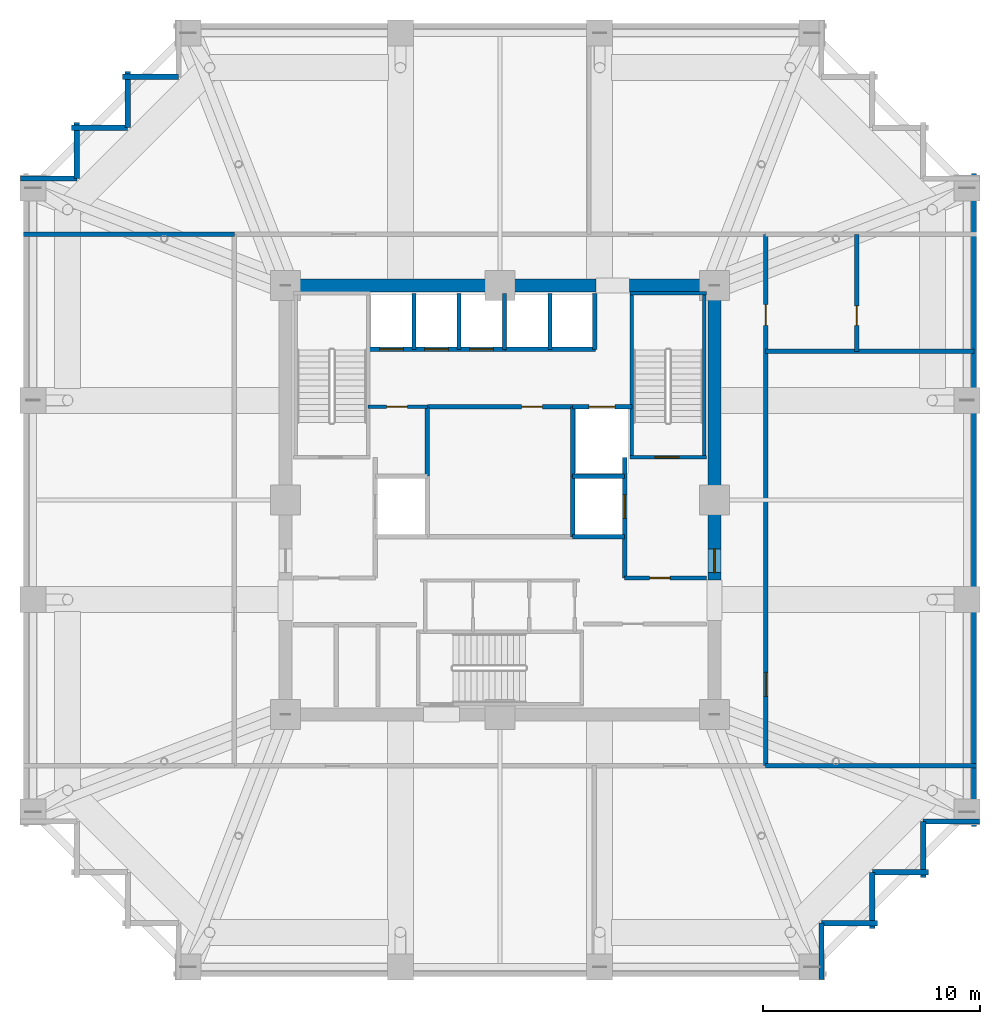
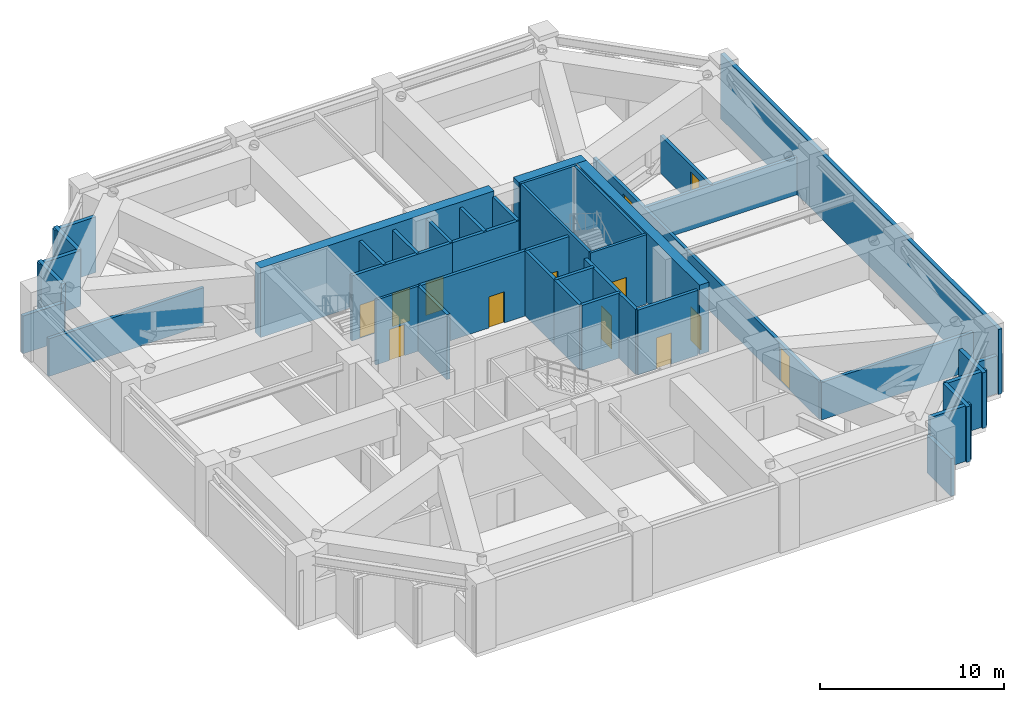
# One storey, part 13 of 15: 41 walls, 13 doors, 13 openings.
"""IFC4 building model written with IfcOpenShell, lengths in metres."""

from ifc_helpers import new_model, si_unit, direction, frame, frame_2d, origin, place, context, subcontext, project, spatial, rectangle, extrude, material, layer, layer_set, type_object, element, fill, save


model = new_model("IFC4")

# Units and contexts
model_context = context("Model", 3, precision=1e-05, world=origin(), true_north=direction((0.0, 1.0)))
body_context = subcontext(model_context, "Body", "Model", "MODEL_VIEW")
ifc_project = project(units=[si_unit("LENGTHUNIT", "METRE"), si_unit("AREAUNIT", "SQUARE_METRE"), si_unit("VOLUMEUNIT", "CUBIC_METRE"), si_unit("PLANEANGLEUNIT", "RADIAN"), si_unit("MASSUNIT", "GRAM", prefix="KILO")], contexts=[model_context])

# Site, building, storey
site_placement = place(None, origin())
site = spatial("IfcSite", under=ifc_project, at=site_placement, CompositionType="ELEMENT")
building_placement = place(site_placement, origin())
building = spatial("IfcBuilding", under=site, at=building_placement, Name="Kolvaren Belvedere", CompositionType="ELEMENT")
storey_placement = place(building_placement, frame((0.0, 0.0, 63.39990234375)))
storey = spatial("IfcBuildingStorey", under=building, at=storey_placement, Name="L18", CompositionType="ELEMENT", Elevation=63.39990234375)

# Walls
ifc_material_1 = material(Name="Concrete C60/75", Category="concrete")
ifc_layer_1 = layer(ifc_material_1, 0.60009765625)
ifc_layer_set_1 = layer_set([ifc_layer_1], Name="Concrete C60/75")
wall_type_1 = type_object("IfcWallType", Name="CW-CORE-600", PredefinedType="SHEAR", material=ifc_layer_set_1)
wall_1_placement = place(storey_placement, frame((-10.199951171875, 9.89990234375, 0.0), z_axis=(0.0, 0.0, 1.0), x_axis=(1.0, 0.0, 0.0)))
element("IfcWall", 1, at=wall_1_placement, inside=storey, type_object=wall_type_1, Name="L18 North Core Shear Wall 1", PredefinedType="SHEAR", context=body_context, shape_type="SweptSolid", body=[
    extrude(rectangle(XDim=14.619873046875, YDim=0.60009765625, at=frame_2d((7.31005859375, 0.0))), origin(), (0.0, 0.0, 1.0), 4.60009765625),
])
wall_2_placement = place(storey_placement, frame((5.97998046875, 9.89990234375, 0.0), z_axis=(0.0, 0.0, 1.0), x_axis=(1.0, 0.0, 0.0)))
element("IfcWall", 2, at=wall_2_placement, inside=storey, type_object=wall_type_1, Name="L18 North Core Shear Wall 2", PredefinedType="SHEAR", context=body_context, shape_type="SweptSolid", body=[
    extrude(rectangle(XDim=4.219970703125, YDim=0.60009765625, at=frame_2d((2.10986328125, 0.0))), origin(), (0.0, 0.0, 1.0), 4.60009765625),
])

# Wall, opening, door
wall_3_placement = place(storey_placement, frame((9.89990234375, -3.699951171875, 0.0), z_axis=(0.0, 0.0, 1.0), x_axis=(0.0, 1.0, 0.0)))
wall_3 = element("IfcWall", 3, at=wall_3_placement, inside=storey, type_object=wall_type_1, Name="L18 East Core Shear Wall 2", PredefinedType="SHEAR", context=body_context, shape_type="SweptSolid", body=[
    extrude(rectangle(XDim=13.300048828125, YDim=0.60009765625, at=frame_2d((6.64990234375, 0.0))), origin(), (0.0, 0.0, 1.0), 4.60009765625),
])
opening_1_placement = place(wall_3_placement, frame((0.35009765625, 0.0, 0.0)))
opening_1 = element("IfcOpeningElement", 4, at=opening_1_placement, cuts=wall_3, Name="Opening D-FD90", PredefinedType="OPENING", context=body_context, shape_type="SweptSolid", body=[
    extrude(rectangle(XDim=1.10009765625, YDim=2.199951171875, at=frame_2d((0.550048828125, 1.10009765625))), frame((0.0, 0.31005859375, 0.0), z_axis=(0.0, -1.0, 0.0), x_axis=(1.0, 0.0, 0.0)), (0.0, 0.0, 1.0), 0.6201171875),
])
ifc_material_2 = material(Name="Painted hollow stainless steel", Category="steel")
door_type_1 = type_object("IfcDoorType", Name="DR-FD90-1100", OperationType="NOTDEFINED", PredefinedType="DOOR", material=ifc_material_2)
door_1_placement = place(opening_1_placement, origin())
door_1 = element("IfcDoor", 5, at=door_1_placement, inside=storey, type_object=door_type_1, Name="L18 East Firefighting Lobby Fire Door", OperationType="SINGLE_SWING_RIGHT", OverallHeight=2.199951171875, OverallWidth=1.10009765625, PredefinedType="DOOR", context=body_context, shape_type="SweptSolid", body=[
    extrude(rectangle(XDim=1.10009765625, YDim=2.199951171875, at=frame_2d((0.550048828125, 1.10009765625))), frame((0.0, 0.02490234375, 0.0), z_axis=(0.0, -1.0, 0.0), x_axis=(1.0, 0.0, 0.0)), (0.0, 0.0, 1.0), 0.050048828125),
])
fill(opening_1, door_1)

ifc_material_3 = material(Name="Concrete C50/60", Category="concrete")
ifc_layer_2 = layer(ifc_material_3, 0.159912109375)
ifc_layer_set_2 = layer_set([ifc_layer_2], Name="Concrete C50/60")
wall_type_2 = type_object("IfcWallType", Name="CW-STAIR-160", PredefinedType="SHEAR", material=ifc_layer_set_2)
wall_4_placement = place(storey_placement, frame((6.0, 1.969970703125, 0.0), z_axis=(0.0, 0.0, 1.0), x_axis=(1.0, 0.0, 0.0)))
wall_4 = element("IfcWall", 6, at=wall_4_placement, inside=storey, type_object=wall_type_2, Name="L18 Stair ST-2 South Shear Wall", PredefinedType="SHEAR", context=body_context, shape_type="SweptSolid", body=[
    extrude(rectangle(XDim=3.52001953125, YDim=0.159912109375, at=frame_2d((1.760009765625, 0.0))), origin(), (0.0, 0.0, 1.0), 4.60009765625),
])
opening_2_placement = place(wall_4_placement, frame((1.14990234375, 0.0, 0.0)))
opening_2 = element("IfcOpeningElement", 7, at=opening_2_placement, cuts=wall_4, Name="Opening D-FD90", PredefinedType="OPENING", context=body_context, shape_type="SweptSolid", body=[
    extrude(rectangle(XDim=1.10009765625, YDim=2.199951171875, at=frame_2d((0.550048828125, 1.10009765625))), frame((0.0, 0.08984375, 0.0), z_axis=(0.0, -1.0, 0.0), x_axis=(1.0, 0.0, 0.0)), (0.0, 0.0, 1.0), 0.179931640625),
])
door_2_placement = place(opening_2_placement, origin())
door_2 = element("IfcDoor", 8, at=door_2_placement, inside=storey, type_object=door_type_1, Name="L18 Stair ST-2 Fire Door", OperationType="SINGLE_SWING_RIGHT", OverallHeight=2.199951171875, OverallWidth=1.10009765625, PredefinedType="DOOR", context=body_context, shape_type="SweptSolid", body=[
    extrude(rectangle(XDim=1.10009765625, YDim=2.199951171875, at=frame_2d((0.550048828125, 1.10009765625))), frame((0.0, 0.02490234375, 0.0), z_axis=(0.0, -1.0, 0.0), x_axis=(1.0, 0.0, 0.0)), (0.0, 0.0, 1.0), 0.050048828125),
])
fill(opening_2, door_2)

# Walls
wall_5_placement = place(storey_placement, frame((6.0, 9.530029296875, 0.0), z_axis=(0.0, 0.0, 1.0), x_axis=(1.0, 0.0, 0.0)))
element("IfcWall", 9, at=wall_5_placement, inside=storey, type_object=wall_type_2, Name="L18 Stair ST-2 North Shear Wall", PredefinedType="SHEAR", context=body_context, shape_type="SweptSolid", body=[
    extrude(rectangle(XDim=3.52001953125, YDim=0.159912109375, at=frame_2d((1.760009765625, 0.0))), origin(), (0.0, 0.0, 1.0), 4.60009765625),
])
for number, where, z_axis, x_axis, name in (
    (10, (6.080078125, 1.969970703125, 0.0), (0.0, 0.0, 1.0), (0.0, 1.0, 0.0), "L18 Stair ST-2 West Shear Wall"),
    (11, (9.429931640625, 1.969970703125, 0.0), (0.0, 0.0, 1.0), (0.0, 1.0, 0.0), "L18 Stair ST-2 East Shear Wall"),
):
    element("IfcWall", number, at=place(storey_placement, frame(where, z_axis=z_axis, x_axis=x_axis)), inside=storey, type_object=wall_type_2, Name=name, PredefinedType="SHEAR", context=body_context, shape_type="SweptSolid", body=[
        extrude(rectangle(XDim=7.56005859375, YDim=0.159912109375, at=frame_2d((3.780029296875, 0.0))), origin(), (0.0, 0.0, 1.0), 4.60009765625),
    ])
ifc_material_4 = material(Name="Insulated acoustic pale-metal louvre wall", Category="aluminium")
ifc_layer_3 = layer(ifc_material_4, 0.239990234375)
ifc_layer_set_3 = layer_set([ifc_layer_3], Name="Insulated acoustic pale-metal louvre wall")
wall_type_3 = type_object("IfcWallType", Name="WL-LOUV-240", PredefinedType="STANDARD", material=ifc_layer_set_3)
wall_6_placement = place(storey_placement, frame((14.830078125, -19.530029296875, 0.0), z_axis=(0.0, 0.0, 1.0), x_axis=(0.0, -1.0, 0.0)))
element("IfcWall", 12, at=wall_6_placement, inside=storey, type_object=wall_type_3, Name="L18 Acoustic Louvre Facade Wall 2", PredefinedType="STANDARD", context=body_context, shape_type="SweptSolid", body=[
    extrude(rectangle(XDim=2.590087890625, YDim=0.239990234375, at=frame_2d((1.294921875, 0.0))), origin(), (0.0, 0.0, 1.0), 2.4951171875),
])
wall_7_placement = place(storey_placement, frame((17.419921875, -19.530029296875, 0.0), z_axis=(0.0, 0.0, 1.0), x_axis=(-1.0, 0.0, 0.0)))
element("IfcWall", 13, at=wall_7_placement, inside=storey, type_object=wall_type_3, Name="L18 Acoustic Louvre Facade Wall 3", PredefinedType="STANDARD", context=body_context, shape_type="SweptSolid", body=[
    extrude(rectangle(XDim=2.58984375, YDim=0.239990234375, at=frame_2d((1.294921875, 0.0))), origin(), (0.0, 0.0, 1.0), 3.67919921875),
])
for number, where, z_axis, x_axis, name in (
    (14, (17.179931640625, -17.179931640625, 0.0), (0.0, 0.0, 1.0), (0.0, -1.0, 0.0), "L18 Acoustic Louvre Facade Wall 4"),
    (15, (19.77001953125, -17.179931640625, 0.0), (0.0, 0.0, 1.0), (-1.0, 0.0, 0.0), "L18 Acoustic Louvre Facade Wall 5"),
):
    element("IfcWall", number, at=place(storey_placement, frame(where, z_axis=z_axis, x_axis=x_axis)), inside=storey, type_object=wall_type_3, Name=name, PredefinedType="STANDARD", context=body_context, shape_type="SweptSolid", body=[
        extrude(rectangle(XDim=2.590087890625, YDim=0.239990234375, at=frame_2d((1.294921875, 0.0))), origin(), (0.0, 0.0, 1.0), 3.67919921875),
    ])
wall_8_placement = place(storey_placement, frame((19.530029296875, -14.830078125, 0.0), z_axis=(0.0, 0.0, 1.0), x_axis=(0.0, -1.0, 0.0)))
element("IfcWall", 16, at=wall_8_placement, inside=storey, type_object=wall_type_3, Name="L18 Acoustic Louvre Facade Wall 6", PredefinedType="STANDARD", context=body_context, shape_type="SweptSolid", body=[
    extrude(rectangle(XDim=2.58984375, YDim=0.239990234375, at=frame_2d((1.294921875, 0.0))), origin(), (0.0, 0.0, 1.0), 3.67919921875),
])
wall_9_placement = place(storey_placement, frame((22.1201171875, -14.830078125, 0.0), z_axis=(0.0, 0.0, 1.0), x_axis=(-1.0, 0.0, 0.0)))
element("IfcWall", 17, at=wall_9_placement, inside=storey, type_object=wall_type_3, Name="L18 Acoustic Louvre Facade Wall 7", PredefinedType="STANDARD", context=body_context, shape_type="SweptSolid", body=[
    extrude(rectangle(XDim=2.590087890625, YDim=0.239990234375, at=frame_2d((1.294921875, 0.0))), origin(), (0.0, 0.0, 1.0), 2.4951171875),
])
wall_10_placement = place(storey_placement, frame((21.8798828125, 15.070068359375, 0.0), z_axis=(0.0, 0.0, 1.0), x_axis=(0.0, -1.0, 0.0)))
element("IfcWall", 18, at=wall_10_placement, inside=storey, type_object=wall_type_3, Name="L18 Acoustic Louvre Facade Wall 8", PredefinedType="STANDARD", context=body_context, shape_type="SweptSolid", body=[
    extrude(rectangle(XDim=30.14013671875, YDim=0.239990234375, at=frame_2d((15.070068359375, 0.0))), origin(), (0.0, 0.0, 1.0), 4.300048828125),
])
wall_11_placement = place(storey_placement, frame((-17.419921875, 19.530029296875, 0.0), z_axis=(0.0, 0.0, 1.0), x_axis=(1.0, 0.0, 0.0)))
element("IfcWall", 19, at=wall_11_placement, inside=storey, type_object=wall_type_3, Name="L18 Acoustic Louvre Facade Wall 17", PredefinedType="STANDARD", context=body_context, shape_type="SweptSolid", body=[
    extrude(rectangle(XDim=2.58984375, YDim=0.239990234375, at=frame_2d((1.294921875, 0.0))), origin(), (0.0, 0.0, 1.0), 3.67919921875),
])
for number, where, z_axis, x_axis, name in (
    (20, (-17.179931640625, 17.179931640625, 0.0), (0.0, 0.0, 1.0), (0.0, 1.0, 0.0), "L18 Acoustic Louvre Facade Wall 18"),
    (21, (-19.77001953125, 17.179931640625, 0.0), (0.0, 0.0, 1.0), (1.0, 0.0, 0.0), "L18 Acoustic Louvre Facade Wall 19"),
):
    element("IfcWall", number, at=place(storey_placement, frame(where, z_axis=z_axis, x_axis=x_axis)), inside=storey, type_object=wall_type_3, Name=name, PredefinedType="STANDARD", context=body_context, shape_type="SweptSolid", body=[
        extrude(rectangle(XDim=2.590087890625, YDim=0.239990234375, at=frame_2d((1.294921875, 0.0))), origin(), (0.0, 0.0, 1.0), 3.67919921875),
    ])
wall_12_placement = place(storey_placement, frame((-19.530029296875, 14.830078125, 0.0), z_axis=(0.0, 0.0, 1.0), x_axis=(0.0, 1.0, 0.0)))
element("IfcWall", 22, at=wall_12_placement, inside=storey, type_object=wall_type_3, Name="L18 Acoustic Louvre Facade Wall 20", PredefinedType="STANDARD", context=body_context, shape_type="SweptSolid", body=[
    extrude(rectangle(XDim=2.58984375, YDim=0.239990234375, at=frame_2d((1.294921875, 0.0))), origin(), (0.0, 0.0, 1.0), 3.67919921875),
])
wall_13_placement = place(storey_placement, frame((-22.1201171875, 14.830078125, 0.0), z_axis=(0.0, 0.0, 1.0), x_axis=(1.0, 0.0, 0.0)))
element("IfcWall", 23, at=wall_13_placement, inside=storey, type_object=wall_type_3, Name="L18 Acoustic Louvre Facade Wall 21", PredefinedType="STANDARD", context=body_context, shape_type="SweptSolid", body=[
    extrude(rectangle(XDim=2.590087890625, YDim=0.239990234375, at=frame_2d((1.294921875, 0.0))), origin(), (0.0, 0.0, 1.0), 2.4951171875),
])

# Wall, opening, door
ifc_material_5 = material(Name="Gypsum acoustic partition assembly", Category="gypsum")
ifc_layer_4 = layer(ifc_material_5, 0.14990234375)
ifc_layer_set_4 = layer_set([ifc_layer_4], Name="Gypsum acoustic partition assembly")
wall_type_4 = type_object("IfcWallType", Name="WL-PART-150", PredefinedType="PARTITIONING", material=ifc_layer_set_4)
wall_14_placement = place(storey_placement, frame((-6.080078125, 4.300048828125, 0.0), z_axis=(0.0, 0.0, 1.0), x_axis=(1.0, 0.0, 0.0)))
wall_14 = element("IfcWall", 24, at=wall_14_placement, inside=storey, type_object=wall_type_4, Name="L18 NW Service Room North Wall", PredefinedType="PARTITIONING", context=body_context, shape_type="SweptSolid", body=[
    extrude(rectangle(XDim=2.72998046875, YDim=0.14990234375, at=frame_2d((1.364990234375, 0.0))), origin(), (0.0, 0.0, 1.0), 4.300048828125),
])
opening_3_placement = place(wall_14_placement, frame((0.85009765625, 0.0, 0.0)))
opening_3 = element("IfcOpeningElement", 25, at=opening_3_placement, cuts=wall_14, Name="Opening D-FD60", PredefinedType="OPENING", context=body_context, shape_type="SweptSolid", body=[
    extrude(rectangle(XDim=0.949951171875, YDim=2.06005859375, at=frame_2d((0.47509765625, 1.030029296875))), frame((0.0, 0.0849609375, 0.0), z_axis=(0.0, -1.0, 0.0), x_axis=(1.0, 0.0, 0.0)), (0.0, 0.0, 1.0), 0.169921875),
])
ifc_material_6 = material(Name="Acoustic white-oak fire door leaf", Category="timber")
door_type_2 = type_object("IfcDoorType", Name="DR-FD60-950", OperationType="NOTDEFINED", PredefinedType="DOOR", material=ifc_material_6)
door_3_placement = place(opening_3_placement, origin())
door_3 = element("IfcDoor", 26, at=door_3_placement, inside=storey, type_object=door_type_2, Name="L18 NW Core Store Door", OperationType="SINGLE_SWING_RIGHT", OverallHeight=2.06005859375, OverallWidth=0.949951171875, PredefinedType="DOOR", context=body_context, shape_type="SweptSolid", body=[
    extrude(rectangle(XDim=0.949951171875, YDim=2.06005859375, at=frame_2d((0.47509765625, 1.030029296875))), frame((0.0, 0.02490234375, 0.0), z_axis=(0.0, -1.0, 0.0), x_axis=(1.0, 0.0, 0.0)), (0.0, 0.0, 1.0), 0.050048828125),
])
fill(opening_3, door_3)

ifc_material_7 = material(Name="Concrete C50/60", Category="concrete")
ifc_layer_5 = layer(ifc_material_7, 0.199951171875)
ifc_layer_set_5 = layer_set([ifc_layer_5], Name="Concrete C50/60")
wall_type_5 = type_object("IfcWallType", Name="WL-SHAFT-200", PredefinedType="SOLIDWALL", material=ifc_layer_set_5)
wall_15_placement = place(storey_placement, frame((5.75, -3.60009765625, 0.0), z_axis=(0.0, 0.0, 1.0), x_axis=(1.0, 0.0, 0.0)))
wall_15 = element("IfcWall", 27, at=wall_15_placement, inside=storey, type_object=wall_type_5, Name="L18 East FSAE Lobby South Wall", PredefinedType="SOLIDWALL", context=body_context, shape_type="SweptSolid", body=[
    extrude(rectangle(XDim=3.77001953125, YDim=0.199951171875, at=frame_2d((1.885009765625, 0.0))), origin(), (0.0, 0.0, 1.0), 4.300048828125),
])
opening_4_placement = place(wall_15_placement, frame((1.14990234375, 0.0, 0.0)))
opening_4 = element("IfcOpeningElement", 28, at=opening_4_placement, cuts=wall_15, Name="Opening D-FD60", PredefinedType="OPENING", context=body_context, shape_type="SweptSolid", body=[
    extrude(rectangle(XDim=0.949951171875, YDim=2.06005859375, at=frame_2d((0.47509765625, 1.030029296875))), frame((0.0, 0.10986328125, 0.0), z_axis=(0.0, -1.0, 0.0), x_axis=(1.0, 0.0, 0.0)), (0.0, 0.0, 1.0), 0.219970703125),
])
door_4_placement = place(opening_4_placement, origin())
door_4 = element("IfcDoor", 29, at=door_4_placement, inside=storey, type_object=door_type_2, Name="L18 SE Lift Lobby Fire Door", OperationType="SINGLE_SWING_RIGHT", OverallHeight=2.06005859375, OverallWidth=0.949951171875, PredefinedType="DOOR", context=body_context, shape_type="SweptSolid", body=[
    extrude(rectangle(XDim=0.949951171875, YDim=2.06005859375, at=frame_2d((0.47509765625, 1.030029296875))), frame((0.0, 0.02490234375, 0.0), z_axis=(0.0, -1.0, 0.0), x_axis=(1.0, 0.0, 0.0)), (0.0, 0.0, 1.0), 0.050048828125),
])
fill(opening_4, door_4)

wall_16_placement = place(storey_placement, frame((5.75, -3.60009765625, 0.0), z_axis=(0.0, 0.0, 1.0), x_axis=(0.0, 1.0, 0.0)))
wall_16 = element("IfcWall", 30, at=wall_16_placement, inside=storey, type_object=wall_type_5, Name="L18 FSAE FS2 Landing Wall", PredefinedType="SOLIDWALL", context=body_context, shape_type="SweptSolid", body=[
    extrude(rectangle(XDim=5.570068359375, YDim=0.199951171875, at=frame_2d((2.78515625, 0.0))), origin(), (0.0, 0.0, 1.0), 4.300048828125),
])
opening_5_placement = place(wall_16_placement, frame((2.75, 0.0, 0.0)))
opening_5 = element("IfcOpeningElement", 31, at=opening_5_placement, cuts=wall_16, Name="Opening LD-11", PredefinedType="OPENING", context=body_context, shape_type="SweptSolid", body=[
    extrude(rectangle(XDim=1.10009765625, YDim=2.199951171875, at=frame_2d((0.550048828125, 1.10009765625))), frame((0.0, 0.10986328125, 0.0), z_axis=(0.0, -1.0, 0.0), x_axis=(1.0, 0.0, 0.0)), (0.0, 0.0, 1.0), 0.219970703125),
])
ifc_material_8 = material(Name="Brushed stainless steel", Category="steel")
door_type_3 = type_object("IfcDoorType", Name="DR-LIFT-1100", OperationType="DOUBLE_DOOR_SLIDING", PredefinedType="DOOR", material=ifc_material_8)
door_5_placement = place(opening_5_placement, origin())
door_5 = element("IfcDoor", 32, at=door_5_placement, inside=storey, type_object=door_type_3, Name="L18 Firefighting Lift FS2 Landing Door", OperationType="DOUBLE_DOOR_SLIDING", OverallHeight=2.199951171875, OverallWidth=1.10009765625, PredefinedType="DOOR", context=body_context, shape_type="SweptSolid", body=[
    extrude(rectangle(XDim=1.10009765625, YDim=2.199951171875, at=frame_2d((0.550048828125, 1.10009765625))), frame((0.0, 0.02490234375, 0.0), z_axis=(0.0, -1.0, 0.0), x_axis=(1.0, 0.0, 0.0)), (0.0, 0.0, 1.0), 0.050048828125),
])
fill(opening_5, door_5)

# Walls
wall_17_placement = place(storey_placement, frame((3.35009765625, -1.699951171875, 0.0), z_axis=(0.0, 0.0, 1.0), x_axis=(0.0, 1.0, 0.0)))
element("IfcWall", 33, at=wall_17_placement, inside=storey, type_object=wall_type_5, Name="L18 FSAE FS2 Back Wall", PredefinedType="SOLIDWALL", context=body_context, shape_type="SweptSolid", body=[
    extrude(rectangle(XDim=2.800048828125, YDim=0.199951171875, at=frame_2d((1.39990234375, 0.0))), origin(), (0.0, 0.0, 1.0), 4.300048828125),
])
for number, where, z_axis, x_axis, name in (
    (34, (3.35009765625, -1.699951171875, 0.0), (0.0, 0.0, 1.0), (1.0, 0.0, 0.0), "L18 FSAE FS2 South Wall"),
    (35, (3.35009765625, 1.10009765625, 0.0), (0.0, 0.0, 1.0), (1.0, 0.0, 0.0), "L18 FSAE FS2 North Wall"),
):
    element("IfcWall", number, at=place(storey_placement, frame(where, z_axis=z_axis, x_axis=x_axis)), inside=storey, type_object=wall_type_5, Name=name, PredefinedType="SOLIDWALL", context=body_context, shape_type="SweptSolid", body=[
        extrude(rectangle(XDim=2.39990234375, YDim=0.199951171875, at=frame_2d((1.199951171875, 0.0))), origin(), (0.0, 0.0, 1.0), 4.300048828125),
    ])

# Wall, opening, door
wall_18_placement = place(storey_placement, frame((3.35009765625, 4.300048828125, 0.0), z_axis=(0.0, 0.0, 1.0), x_axis=(1.0, 0.0, 0.0)))
wall_18 = element("IfcWall", 36, at=wall_18_placement, inside=storey, type_object=wall_type_5, Name="L18 Service Lift SV1 Front Wall", PredefinedType="SOLIDWALL", context=body_context, shape_type="SweptSolid", body=[
    extrude(rectangle(XDim=2.72998046875, YDim=0.199951171875, at=frame_2d((1.364990234375, 0.0))), origin(), (0.0, 0.0, 1.0), 4.300048828125),
])
opening_6_placement = place(wall_18_placement, frame((0.75, 0.0, 0.0)))
opening_6 = element("IfcOpeningElement", 37, at=opening_6_placement, cuts=wall_18, Name="Opening LD-12", PredefinedType="OPENING", context=body_context, shape_type="SweptSolid", body=[
    extrude(rectangle(XDim=1.199951171875, YDim=2.25, at=frame_2d((0.60009765625, 1.125))), frame((0.0, 0.10986328125, 0.0), z_axis=(0.0, -1.0, 0.0), x_axis=(1.0, 0.0, 0.0)), (0.0, 0.0, 1.0), 0.219970703125),
])
ifc_material_9 = material(Name="Brushed stainless steel", Category="steel")
door_type_4 = type_object("IfcDoorType", Name="DR-LIFT-1200", OperationType="DOUBLE_DOOR_SLIDING", PredefinedType="DOOR", material=ifc_material_9)
door_6_placement = place(opening_6_placement, origin())
door_6 = element("IfcDoor", 38, at=door_6_placement, inside=storey, type_object=door_type_4, Name="L18 Service Lift SV1 Landing Door", OperationType="DOUBLE_DOOR_SLIDING", OverallHeight=2.25, OverallWidth=1.199951171875, PredefinedType="DOOR", context=body_context, shape_type="SweptSolid", body=[
    extrude(rectangle(XDim=1.199951171875, YDim=2.25, at=frame_2d((0.60009765625, 1.125))), frame((0.0, 0.02490234375, 0.0), z_axis=(0.0, -1.0, 0.0), x_axis=(1.0, 0.0, 0.0)), (0.0, 0.0, 1.0), 0.050048828125),
])
fill(opening_6, door_6)

# Wall, openings, doors
wall_19_placement = place(storey_placement, frame((-6.080078125, 6.949951171875, 0.0), z_axis=(0.0, 0.0, 1.0), x_axis=(1.0, 0.0, 0.0)))
wall_19 = element("IfcWall", 39, at=wall_19_placement, inside=storey, type_object=wall_type_5, Name="L18 Low-Rise Lift Bank Front Wall", PredefinedType="SOLIDWALL", context=body_context, shape_type="SweptSolid", body=[
    extrude(rectangle(XDim=6.300048828125, YDim=0.199951171875, at=frame_2d((3.14990234375, 0.0))), origin(), (0.0, 0.0, 1.0), 4.300048828125),
])
opening_7_placement = place(wall_19_placement, frame((0.52001953125, 0.0, 0.0)))
opening_7 = element("IfcOpeningElement", 40, at=opening_7_placement, cuts=wall_19, Name="Opening LD-11", PredefinedType="OPENING", context=body_context, shape_type="SweptSolid", body=[
    extrude(rectangle(XDim=1.10009765625, YDim=2.199951171875, at=frame_2d((0.550048828125, 1.10009765625))), frame((0.0, 0.10986328125, 0.0), z_axis=(0.0, -1.0, 0.0), x_axis=(1.0, 0.0, 0.0)), (0.0, 0.0, 1.0), 0.219970703125),
])
opening_8_placement = place(wall_19_placement, frame((2.60009765625, 0.0, 0.0)))
opening_8 = element("IfcOpeningElement", 41, at=opening_8_placement, cuts=wall_19, Name="Opening LD-11", PredefinedType="OPENING", context=body_context, shape_type="SweptSolid", body=[
    extrude(rectangle(XDim=1.10009765625, YDim=2.199951171875, at=frame_2d((0.550048828125, 1.10009765625))), frame((0.0, 0.10986328125, 0.0), z_axis=(0.0, -1.0, 0.0), x_axis=(1.0, 0.0, 0.0)), (0.0, 0.0, 1.0), 0.219970703125),
])
opening_9_placement = place(wall_19_placement, frame((4.679931640625, 0.0, 0.0)))
opening_9 = element("IfcOpeningElement", 42, at=opening_9_placement, cuts=wall_19, Name="Opening LD-11", PredefinedType="OPENING", context=body_context, shape_type="SweptSolid", body=[
    extrude(rectangle(XDim=1.10009765625, YDim=2.199951171875, at=frame_2d((0.550048828125, 1.10009765625))), frame((0.0, 0.10986328125, 0.0), z_axis=(0.0, -1.0, 0.0), x_axis=(1.0, 0.0, 0.0)), (0.0, 0.0, 1.0), 0.219970703125),
])
door_7_placement = place(opening_7_placement, origin())
door_7 = element("IfcDoor", 43, at=door_7_placement, inside=storey, type_object=door_type_3, Name="L18 Passenger Lift P1 Landing Door", OperationType="DOUBLE_DOOR_SLIDING", OverallHeight=2.199951171875, OverallWidth=1.10009765625, PredefinedType="DOOR", context=body_context, shape_type="SweptSolid", body=[
    extrude(rectangle(XDim=1.10009765625, YDim=2.199951171875, at=frame_2d((0.550048828125, 1.10009765625))), frame((0.0, 0.02490234375, 0.0), z_axis=(0.0, -1.0, 0.0), x_axis=(1.0, 0.0, 0.0)), (0.0, 0.0, 1.0), 0.050048828125),
])
fill(opening_7, door_7)
door_8_placement = place(opening_8_placement, origin())
door_8 = element("IfcDoor", 44, at=door_8_placement, inside=storey, type_object=door_type_3, Name="L18 Passenger Lift P2 Landing Door", OperationType="DOUBLE_DOOR_SLIDING", OverallHeight=2.199951171875, OverallWidth=1.10009765625, PredefinedType="DOOR", context=body_context, shape_type="SweptSolid", body=[
    extrude(rectangle(XDim=1.10009765625, YDim=2.199951171875, at=frame_2d((0.550048828125, 1.10009765625))), frame((0.0, 0.02490234375, 0.0), z_axis=(0.0, -1.0, 0.0), x_axis=(1.0, 0.0, 0.0)), (0.0, 0.0, 1.0), 0.050048828125),
])
fill(opening_8, door_8)
door_9_placement = place(opening_9_placement, origin())
door_9 = element("IfcDoor", 45, at=door_9_placement, inside=storey, type_object=door_type_3, Name="L18 Passenger Lift P3 Landing Door", OperationType="DOUBLE_DOOR_SLIDING", OverallHeight=2.199951171875, OverallWidth=1.10009765625, PredefinedType="DOOR", context=body_context, shape_type="SweptSolid", body=[
    extrude(rectangle(XDim=1.10009765625, YDim=2.199951171875, at=frame_2d((0.550048828125, 1.10009765625))), frame((0.0, 0.02490234375, 0.0), z_axis=(0.0, -1.0, 0.0), x_axis=(1.0, 0.0, 0.0)), (0.0, 0.0, 1.0), 0.050048828125),
])
fill(opening_9, door_9)

# Walls
for number, where, z_axis, x_axis, name in (
    (46, (-3.969970703125, 6.949951171875, 0.0), (0.0, 0.0, 1.0), (0.0, 1.0, 0.0), "L18 Low-Rise Hoistway Divider 1"),
    (47, (-1.889892578125, 6.949951171875, 0.0), (0.0, 0.0, 1.0), (0.0, 1.0, 0.0), "L18 Low-Rise Hoistway Divider 2"),
    (48, (0.2099609375, 6.949951171875, 0.0), (0.0, 0.0, 1.0), (0.0, 1.0, 0.0), "L18 Low-Rise Hoistway Divider 3"),
):
    element("IfcWall", number, at=place(storey_placement, frame(where, z_axis=z_axis, x_axis=x_axis)), inside=storey, type_object=wall_type_5, Name=name, PredefinedType="SOLIDWALL", context=body_context, shape_type="SweptSolid", body=[
        extrude(rectangle(XDim=2.570068359375, YDim=0.199951171875, at=frame_2d((1.28515625, 0.0))), origin(), (0.0, 0.0, 1.0), 4.300048828125),
    ])
wall_20_placement = place(storey_placement, frame((0.219970703125, 6.949951171875, 0.0), z_axis=(0.0, 0.0, 1.0), x_axis=(1.0, 0.0, 0.0)))
element("IfcWall", 49, at=wall_20_placement, inside=storey, type_object=wall_type_5, Name="L18 Express Shuttle Hoistway Wall", PredefinedType="SOLIDWALL", context=body_context, shape_type="SweptSolid", body=[
    extrude(rectangle(XDim=4.179931640625, YDim=0.199951171875, at=frame_2d((2.08984375, 0.0))), origin(), (0.0, 0.0, 1.0), 4.300048828125),
])
for number, where, z_axis, x_axis, name in (
    (50, (4.3798828125, 6.949951171875, 0.0), (0.0, 0.0, 1.0), (0.0, 1.0, 0.0), "L18 Express Shuttle East Wall"),
    (51, (2.31005859375, 6.949951171875, 0.0), (0.0, 0.0, 1.0), (0.0, 1.0, 0.0), "L18 Express Shuttle Divider"),
):
    element("IfcWall", number, at=place(storey_placement, frame(where, z_axis=z_axis, x_axis=x_axis)), inside=storey, type_object=wall_type_5, Name=name, PredefinedType="SOLIDWALL", context=body_context, shape_type="SweptSolid", body=[
        extrude(rectangle(XDim=2.570068359375, YDim=0.199951171875, at=frame_2d((1.28515625, 0.0))), origin(), (0.0, 0.0, 1.0), 4.300048828125),
    ])

# Wall, opening, door
wall_21_placement = place(storey_placement, frame((-3.35009765625, 4.300048828125, 0.0), z_axis=(0.0, 0.0, 1.0), x_axis=(1.0, 0.0, 0.0)))
wall_21 = element("IfcWall", 52, at=wall_21_placement, inside=storey, type_object=wall_type_5, Name="L18 Central Core Room North Wall", PredefinedType="SOLIDWALL", context=body_context, shape_type="SweptSolid", body=[
    extrude(rectangle(XDim=6.7001953125, YDim=0.199951171875, at=frame_2d((3.35009765625, 0.0))), origin(), (0.0, 0.0, 1.0), 4.300048828125),
])
opening_10_placement = place(wall_21_placement, frame((4.35009765625, 0.0, 0.0)))
opening_10 = element("IfcOpeningElement", 53, at=opening_10_placement, cuts=wall_21, Name="Opening D-FD60", PredefinedType="OPENING", context=body_context, shape_type="SweptSolid", body=[
    extrude(rectangle(XDim=0.949951171875, YDim=2.06005859375, at=frame_2d((0.47509765625, 1.030029296875))), frame((0.0, 0.10986328125, 0.0), z_axis=(0.0, -1.0, 0.0), x_axis=(1.0, 0.0, 0.0)), (0.0, 0.0, 1.0), 0.219970703125),
])
door_10_placement = place(opening_10_placement, origin())
door_10 = element("IfcDoor", 54, at=door_10_placement, inside=storey, type_object=door_type_2, Name="L18 Central Core Controls Door", OperationType="SINGLE_SWING_LEFT", OverallHeight=2.06005859375, OverallWidth=0.949951171875, PredefinedType="DOOR", context=body_context, shape_type="SweptSolid", body=[
    extrude(rectangle(XDim=0.949951171875, YDim=2.06005859375, at=frame_2d((0.47509765625, 1.030029296875))), frame((0.0, 0.02490234375, 0.0), z_axis=(0.0, -1.0, 0.0), x_axis=(1.0, 0.0, 0.0)), (0.0, 0.0, 1.0), 0.050048828125),
])
fill(opening_10, door_10)

# Walls
for number, where, z_axis, x_axis, name in (
    (55, (-3.35009765625, 1.10009765625, 0.0), (0.0, 0.0, 1.0), (0.0, 1.0, 0.0), "L18 Central Core Room West Wall"),
    (56, (3.35009765625, 1.10009765625, 0.0), (0.0, 0.0, 1.0), (0.0, 1.0, 0.0), "L18 Central Core Room East Wall"),
):
    element("IfcWall", number, at=place(storey_placement, frame(where, z_axis=z_axis, x_axis=x_axis)), inside=storey, type_object=wall_type_5, Name=name, PredefinedType="SOLIDWALL", context=body_context, shape_type="SweptSolid", body=[
        extrude(rectangle(XDim=3.199951171875, YDim=0.199951171875, at=frame_2d((1.60009765625, 0.0))), origin(), (0.0, 0.0, 1.0), 4.300048828125),
    ])

# Wall, openings, doors
wall_22_placement = place(storey_placement, frame((12.260009765625, -12.260009765625, 0.0), z_axis=(0.0, 0.0, 1.0), x_axis=(0.0, 1.0, 0.0)))
wall_22 = element("IfcWall", 57, at=wall_22_placement, inside=storey, type_object=wall_type_5, Name="L18 East Corridor Wall", PredefinedType="SOLIDWALL", context=body_context, shape_type="SweptSolid", body=[
    extrude(rectangle(XDim=24.52001953125, YDim=0.199951171875, at=frame_2d((12.260009765625, 0.0))), origin(), (0.0, 0.0, 1.0), 2.485107421875),
])
opening_11_placement = place(wall_22_placement, frame((3.199951171875, 0.0, 0.0)))
opening_11 = element("IfcOpeningElement", 58, at=opening_11_placement, cuts=wall_22, Name="Opening D-FD90", PredefinedType="OPENING", context=body_context, shape_type="SweptSolid", body=[
    extrude(rectangle(XDim=1.10009765625, YDim=2.199951171875, at=frame_2d((0.550048828125, 1.10009765625))), frame((0.0, 0.10986328125, 0.0), z_axis=(0.0, -1.0, 0.0), x_axis=(1.0, 0.0, 0.0)), (0.0, 0.0, 1.0), 0.219970703125),
])
opening_12_placement = place(wall_22_placement, frame((20.320068359375, 0.0, 0.0)))
opening_12 = element("IfcOpeningElement", 59, at=opening_12_placement, cuts=wall_22, Name="Opening D-INT95", PredefinedType="OPENING", context=body_context, shape_type="SweptSolid", body=[
    extrude(rectangle(XDim=0.949951171875, YDim=2.06005859375, at=frame_2d((0.47509765625, 1.030029296875))), frame((0.0, 0.10986328125, 0.0), z_axis=(0.0, -1.0, 0.0), x_axis=(1.0, 0.0, 0.0)), (0.0, 0.0, 1.0), 0.219970703125),
])
door_11_placement = place(opening_11_placement, origin())
door_11 = element("IfcDoor", 60, at=door_11_placement, inside=storey, type_object=door_type_1, Name="L18 High-Zone Substation Mechanical Plant Door", OperationType="SINGLE_SWING_RIGHT", OverallHeight=2.199951171875, OverallWidth=1.10009765625, PredefinedType="DOOR", context=body_context, shape_type="SweptSolid", body=[
    extrude(rectangle(XDim=1.10009765625, YDim=2.199951171875, at=frame_2d((0.550048828125, 1.10009765625))), frame((0.0, 0.02490234375, 0.0), z_axis=(0.0, -1.0, 0.0), x_axis=(1.0, 0.0, 0.0)), (0.0, 0.0, 1.0), 0.050048828125),
])
fill(opening_11, door_11)
ifc_material_10 = material(Name="Stained Pacific white oak", Category="timber")
door_type_5 = type_object("IfcDoorType", Name="DR-INT-950", OperationType="NOTDEFINED", PredefinedType="DOOR", material=ifc_material_10)
door_12_placement = place(opening_12_placement, origin())
door_12 = element("IfcDoor", 61, at=door_12_placement, inside=storey, type_object=door_type_5, Name="L18 Staff Accessible Washroom Door", OperationType="SINGLE_SWING_LEFT", OverallHeight=2.06005859375, OverallWidth=0.949951171875, PredefinedType="DOOR", context=body_context, shape_type="SweptSolid", body=[
    extrude(rectangle(XDim=0.949951171875, YDim=2.06005859375, at=frame_2d((0.47509765625, 1.030029296875))), frame((0.0, 0.02490234375, 0.0), z_axis=(0.0, -1.0, 0.0), x_axis=(1.0, 0.0, 0.0)), (0.0, 0.0, 1.0), 0.050048828125),
])
fill(opening_12, door_12)

# Walls
for number, where, z_axis, x_axis, name in (
    (62, (12.260009765625, -12.260009765625, 0.0), (0.0, 0.0, 1.0), (1.0, 0.0, 0.0), "L18 Sector Wall PW-L18-QSE"),
    (63, (-21.97998046875, 12.260009765625, 0.0), (0.0, 0.0, 1.0), (1.0, 0.0, 0.0), "L18 Sector Wall PW-L18-QNW"),
):
    element("IfcWall", number, at=place(storey_placement, frame(where, z_axis=z_axis, x_axis=x_axis)), inside=storey, type_object=wall_type_5, Name=name, PredefinedType="SOLIDWALL", context=body_context, shape_type="SweptSolid", body=[
        extrude(rectangle(XDim=9.719970703125, YDim=0.199951171875, at=frame_2d((4.85986328125, 0.0))), origin(), (0.0, 0.0, 1.0), 2.485107421875),
    ])
wall_23_placement = place(storey_placement, frame((12.260009765625, 6.860107421875, 0.0), z_axis=(0.0, 0.0, 1.0), x_axis=(1.0, 0.0, 0.0)))
element("IfcWall", 64, at=wall_23_placement, inside=storey, type_object=wall_type_5, Name="L18 East Plant WC Wall", PredefinedType="SOLIDWALL", context=body_context, shape_type="SweptSolid", body=[
    extrude(rectangle(XDim=9.619873046875, YDim=0.199951171875, at=frame_2d((4.81005859375, 0.0))), origin(), (0.0, 0.0, 1.0), 2.485107421875),
])

# Wall, opening, door
wall_24_placement = place(storey_placement, frame((16.4599609375, 6.860107421875, 0.0), z_axis=(0.0, 0.0, 1.0), x_axis=(0.0, 1.0, 0.0)))
wall_24 = element("IfcWall", 65, at=wall_24_placement, inside=storey, type_object=wall_type_5, Name="L18 Staff WC Back Wall", PredefinedType="SOLIDWALL", context=body_context, shape_type="SweptSolid", body=[
    extrude(rectangle(XDim=5.39990234375, YDim=0.199951171875, at=frame_2d((2.699951171875, 0.0))), origin(), (0.0, 0.0, 1.0), 2.485107421875),
])
opening_13_placement = place(wall_24_placement, frame((1.199951171875, 0.0, 0.0)))
opening_13 = element("IfcOpeningElement", 66, at=opening_13_placement, cuts=wall_24, Name="Opening D-INT90", PredefinedType="OPENING", context=body_context, shape_type="SweptSolid", body=[
    extrude(rectangle(XDim=0.89990234375, YDim=2.06005859375, at=frame_2d((0.449951171875, 1.030029296875))), frame((0.0, 0.10986328125, 0.0), z_axis=(0.0, -1.0, 0.0), x_axis=(1.0, 0.0, 0.0)), (0.0, 0.0, 1.0), 0.219970703125),
])
ifc_material_11 = material(Name="Stained Pacific white oak", Category="timber")
door_type_6 = type_object("IfcDoorType", Name="DR-INT-900", OperationType="NOTDEFINED", PredefinedType="DOOR", material=ifc_material_11)
door_13_placement = place(opening_13_placement, origin())
door_13 = element("IfcDoor", 67, at=door_13_placement, inside=storey, type_object=door_type_6, Name="L18 Filter & Controls Mechanical Plant Door", OperationType="SINGLE_SWING_RIGHT", OverallHeight=2.06005859375, OverallWidth=0.89990234375, PredefinedType="DOOR", context=body_context, shape_type="SweptSolid", body=[
    extrude(rectangle(XDim=0.89990234375, YDim=2.06005859375, at=frame_2d((0.449951171875, 1.030029296875))), frame((0.0, 0.02490234375, 0.0), z_axis=(0.0, -1.0, 0.0), x_axis=(1.0, 0.0, 0.0)), (0.0, 0.0, 1.0), 0.050048828125),
])
fill(opening_13, door_13)

save(model, "model.ifc")
